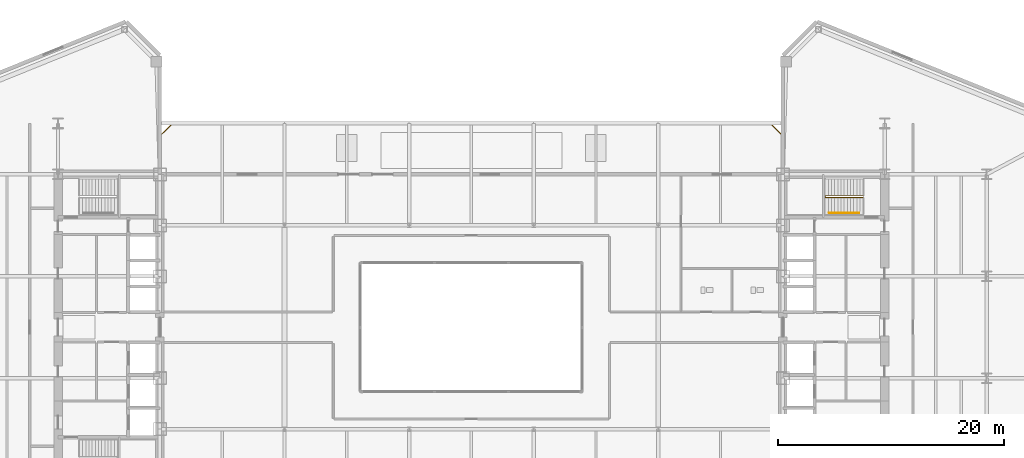
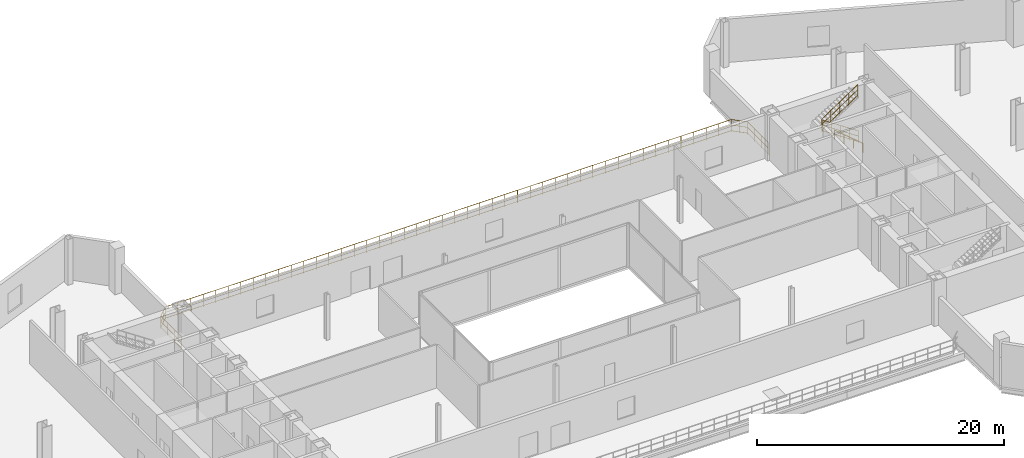
# One storey, part 22 of 23: 3 railings.
"""IFC4 building model written with IfcOpenShell, lengths in metres."""

from ifc_helpers import new_model, si_unit, direction, frame, origin, origin_2d, place, context, subcontext, project, spatial, circle, extrude, material, type_object, element, save


model = new_model("IFC4")

# Units and contexts
model_context = context("Model", 3, precision=1e-05, world=origin(), true_north=direction((0.0, 1.0)))
body_context = subcontext(model_context, "Body", "Model", "MODEL_VIEW")
ifc_project = project(units=[si_unit("LENGTHUNIT", "METRE"), si_unit("AREAUNIT", "SQUARE_METRE"), si_unit("VOLUMEUNIT", "CUBIC_METRE"), si_unit("PLANEANGLEUNIT", "RADIAN"), si_unit("MASSUNIT", "GRAM", prefix="KILO")], contexts=[model_context])

# Site, building, storey
site_placement = place(None, origin())
site = spatial("IfcSite", under=ifc_project, at=site_placement, CompositionType="ELEMENT")
building_placement = place(site_placement, origin())
building = spatial("IfcBuilding", under=site, at=building_placement, Name="Seokmaru Belvedere", CompositionType="ELEMENT")
storey_placement = place(building_placement, frame((0.0, 0.0, 14.39990234375)))
storey = spatial("IfcBuildingStorey", under=building, at=storey_placement, Name="L03", CompositionType="ELEMENT", Elevation=14.39990234375)

# Railings
ifc_material = material(Name="Stainless Steel 316", Category="steel")
railing_type_1 = type_object("IfcRailingType", Name="Podium Garden Terrace Guardrail 1250", PredefinedType="GUARDRAIL", material=ifc_material)
railing_1_placement = place(storey_placement, frame((-27.419921875, 13.659912109375, 0.0)))
element("IfcRailing", 1, at=railing_1_placement, inside=storey, type_object=railing_type_1, Name="L03 North Cascading Terrace Guardrail", PredefinedType="GUARDRAIL", context=body_context, shape_type="SweptSolid", body=[
    extrude(circle(Radius=0.02392578125, at=origin_2d()), frame((0.0, 0.0, 1.22607421875), z_axis=(0.0, 1.0, 0.0), x_axis=(-1.0, 0.0, 0.0)), (0.0, 0.0, 1.0), 3.340087890625),
    extrude(circle(Radius=0.02392578125, at=origin_2d()), frame((0.0, 0.0, 0.1201171875), z_axis=(0.0, 1.0, 0.0), x_axis=(-1.0, 0.0, 0.0)), (0.0, 0.0, 1.0), 3.340087890625),
    extrude(circle(Radius=0.02392578125, at=origin_2d()), frame((0.0, 0.0, 0.6875), z_axis=(0.0, 1.0, 0.0), x_axis=(-1.0, 0.0, 0.0)), (0.0, 0.0, 1.0), 3.340087890625),
    extrude(circle(Radius=0.02392578125, at=origin_2d()), frame((0.0, 3.340087890625, 1.22607421875), z_axis=(0.714441131143, 0.699695555318, 0.0), x_axis=(-0.699695555318, 0.714441131143, 0.0)), (0.0, 0.0, 1.0), 1.357666015625),
    extrude(circle(Radius=0.02392578125, at=origin_2d()), frame((0.0, 3.340087890625, 0.1201171875), z_axis=(0.714441131143, 0.699695555318, 0.0), x_axis=(-0.699695555318, 0.714441131143, 0.0)), (0.0, 0.0, 1.0), 1.357666015625),
    extrude(circle(Radius=0.02392578125, at=origin_2d()), frame((0.0, 3.340087890625, 0.6875), z_axis=(0.714441131143, 0.699695555318, 0.0), x_axis=(-0.699695555318, 0.714441131143, 0.0)), (0.0, 0.0, 1.0), 1.357666015625),
    extrude(circle(Radius=0.02392578125, at=origin_2d()), frame((0.969970703125, 4.2900390625, 1.22607421875), z_axis=(1.0, 0.0, 0.0), x_axis=(0.0, 1.0, 0.0)), (0.0, 0.0, 1.0), 52.89990234375),
    extrude(circle(Radius=0.02392578125, at=origin_2d()), frame((0.969970703125, 4.2900390625, 0.1201171875), z_axis=(1.0, 0.0, 0.0), x_axis=(0.0, 1.0, 0.0)), (0.0, 0.0, 1.0), 52.89990234375),
    extrude(circle(Radius=0.02392578125, at=origin_2d()), frame((0.969970703125, 4.2900390625, 0.6875), z_axis=(1.0, 0.0, 0.0), x_axis=(0.0, 1.0, 0.0)), (0.0, 0.0, 1.0), 52.89990234375),
    extrude(circle(Radius=0.02392578125, at=origin_2d()), frame((53.869873046875, 4.2900390625, 1.22607421875), z_axis=(0.714441131143, -0.699695555318, 0.0), x_axis=(0.699695555318, 0.714441131143, 0.0)), (0.0, 0.0, 1.0), 1.357666015625),
    extrude(circle(Radius=0.02392578125, at=origin_2d()), frame((53.869873046875, 4.2900390625, 0.1201171875), z_axis=(0.714441131143, -0.699695555318, 0.0), x_axis=(0.699695555318, 0.714441131143, 0.0)), (0.0, 0.0, 1.0), 1.357666015625),
    extrude(circle(Radius=0.02392578125, at=origin_2d()), frame((53.869873046875, 4.2900390625, 0.6875), z_axis=(0.714441131143, -0.699695555318, 0.0), x_axis=(0.699695555318, 0.714441131143, 0.0)), (0.0, 0.0, 1.0), 1.357666015625),
    extrude(circle(Radius=0.02392578125, at=origin_2d()), frame((54.83984375, 3.340087890625, 1.22607421875), z_axis=(0.0, -1.0, 0.0), x_axis=(1.0, 0.0, 0.0)), (0.0, 0.0, 1.0), 3.340087890625),
    extrude(circle(Radius=0.02392578125, at=origin_2d()), frame((54.83984375, 3.340087890625, 0.1201171875), z_axis=(0.0, -1.0, 0.0), x_axis=(1.0, 0.0, 0.0)), (0.0, 0.0, 1.0), 3.340087890625),
    extrude(circle(Radius=0.02392578125, at=origin_2d()), frame((54.83984375, 3.340087890625, 0.6875), z_axis=(0.0, -1.0, 0.0), x_axis=(1.0, 0.0, 0.0)), (0.0, 0.0, 1.0), 3.340087890625),
    extrude(circle(Radius=0.02099609375, at=origin_2d()), origin(), (0.0, 0.0, 1.0), 1.201904296875),
    extrude(circle(Radius=0.02099609375, at=origin_2d()), frame((0.0, 1.11328125, 0.0)), (0.0, 0.0, 1.0), 1.201904296875),
    extrude(circle(Radius=0.02099609375, at=origin_2d()), frame((0.0, 2.226806640625, 0.0)), (0.0, 0.0, 1.0), 1.201904296875),
    extrude(circle(Radius=0.02099609375, at=origin_2d()), frame((0.0, 3.340087890625, 0.0)), (0.0, 0.0, 1.0), 1.201904296875),
    extrude(circle(Radius=0.02099609375, at=origin_2d()), frame((0.48486328125, 3.81494140625, 0.0)), (0.0, 0.0, 1.0), 1.201904296875),
    extrude(circle(Radius=0.02099609375, at=origin_2d()), frame((0.969970703125, 4.2900390625, 0.0)), (0.0, 0.0, 1.0), 1.201904296875),
    extrude(circle(Radius=0.02099609375, at=origin_2d()), frame((2.1455078125, 4.2900390625, 0.0)), (0.0, 0.0, 1.0), 1.201904296875),
    extrude(circle(Radius=0.02099609375, at=origin_2d()), frame((3.321044921875, 4.2900390625, 0.0)), (0.0, 0.0, 1.0), 1.201904296875),
    extrude(circle(Radius=0.02099609375, at=origin_2d()), frame((4.49658203125, 4.2900390625, 0.0)), (0.0, 0.0, 1.0), 1.201904296875),
    extrude(circle(Radius=0.02099609375, at=origin_2d()), frame((5.672119140625, 4.2900390625, 0.0)), (0.0, 0.0, 1.0), 1.201904296875),
    extrude(circle(Radius=0.02099609375, at=origin_2d()), frame((6.84765625, 4.2900390625, 0.0)), (0.0, 0.0, 1.0), 1.201904296875),
    extrude(circle(Radius=0.02099609375, at=origin_2d()), frame((8.023193359375, 4.2900390625, 0.0)), (0.0, 0.0, 1.0), 1.201904296875),
    extrude(circle(Radius=0.02099609375, at=origin_2d()), frame((9.19873046875, 4.2900390625, 0.0)), (0.0, 0.0, 1.0), 1.201904296875),
    extrude(circle(Radius=0.02099609375, at=origin_2d()), frame((10.37451171875, 4.2900390625, 0.0)), (0.0, 0.0, 1.0), 1.201904296875),
    extrude(circle(Radius=0.02099609375, at=origin_2d()), frame((11.550048828125, 4.2900390625, 0.0)), (0.0, 0.0, 1.0), 1.201904296875),
    extrude(circle(Radius=0.02099609375, at=origin_2d()), frame((12.7255859375, 4.2900390625, 0.0)), (0.0, 0.0, 1.0), 1.201904296875),
    extrude(circle(Radius=0.02099609375, at=origin_2d()), frame((13.901123046875, 4.2900390625, 0.0)), (0.0, 0.0, 1.0), 1.201904296875),
    extrude(circle(Radius=0.02099609375, at=origin_2d()), frame((15.07666015625, 4.2900390625, 0.0)), (0.0, 0.0, 1.0), 1.201904296875),
    extrude(circle(Radius=0.02099609375, at=origin_2d()), frame((16.252197265625, 4.2900390625, 0.0)), (0.0, 0.0, 1.0), 1.201904296875),
    extrude(circle(Radius=0.02099609375, at=origin_2d()), frame((17.427734375, 4.2900390625, 0.0)), (0.0, 0.0, 1.0), 1.201904296875),
    extrude(circle(Radius=0.02099609375, at=origin_2d()), frame((18.603271484375, 4.2900390625, 0.0)), (0.0, 0.0, 1.0), 1.201904296875),
    extrude(circle(Radius=0.02099609375, at=origin_2d()), frame((19.77880859375, 4.2900390625, 0.0)), (0.0, 0.0, 1.0), 1.201904296875),
    extrude(circle(Radius=0.02099609375, at=origin_2d()), frame((20.954345703125, 4.2900390625, 0.0)), (0.0, 0.0, 1.0), 1.201904296875),
    extrude(circle(Radius=0.02099609375, at=origin_2d()), frame((22.1298828125, 4.2900390625, 0.0)), (0.0, 0.0, 1.0), 1.201904296875),
    extrude(circle(Radius=0.02099609375, at=origin_2d()), frame((23.305419921875, 4.2900390625, 0.0)), (0.0, 0.0, 1.0), 1.201904296875),
    extrude(circle(Radius=0.02099609375, at=origin_2d()), frame((24.48095703125, 4.2900390625, 0.0)), (0.0, 0.0, 1.0), 1.201904296875),
    extrude(circle(Radius=0.02099609375, at=origin_2d()), frame((25.656494140625, 4.2900390625, 0.0)), (0.0, 0.0, 1.0), 1.201904296875),
    extrude(circle(Radius=0.02099609375, at=origin_2d()), frame((26.83203125, 4.2900390625, 0.0)), (0.0, 0.0, 1.0), 1.201904296875),
    extrude(circle(Radius=0.02099609375, at=origin_2d()), frame((28.0078125, 4.2900390625, 0.0)), (0.0, 0.0, 1.0), 1.201904296875),
    extrude(circle(Radius=0.02099609375, at=origin_2d()), frame((29.183349609375, 4.2900390625, 0.0)), (0.0, 0.0, 1.0), 1.201904296875),
    extrude(circle(Radius=0.02099609375, at=origin_2d()), frame((30.35888671875, 4.2900390625, 0.0)), (0.0, 0.0, 1.0), 1.201904296875),
    extrude(circle(Radius=0.02099609375, at=origin_2d()), frame((31.534423828125, 4.2900390625, 0.0)), (0.0, 0.0, 1.0), 1.201904296875),
    extrude(circle(Radius=0.02099609375, at=origin_2d()), frame((32.7099609375, 4.2900390625, 0.0)), (0.0, 0.0, 1.0), 1.201904296875),
    extrude(circle(Radius=0.02099609375, at=origin_2d()), frame((33.885498046875, 4.2900390625, 0.0)), (0.0, 0.0, 1.0), 1.201904296875),
    extrude(circle(Radius=0.02099609375, at=origin_2d()), frame((35.06103515625, 4.2900390625, 0.0)), (0.0, 0.0, 1.0), 1.201904296875),
    extrude(circle(Radius=0.02099609375, at=origin_2d()), frame((36.236572265625, 4.2900390625, 0.0)), (0.0, 0.0, 1.0), 1.201904296875),
    extrude(circle(Radius=0.02099609375, at=origin_2d()), frame((37.412109375, 4.2900390625, 0.0)), (0.0, 0.0, 1.0), 1.201904296875),
    extrude(circle(Radius=0.02099609375, at=origin_2d()), frame((38.587646484375, 4.2900390625, 0.0)), (0.0, 0.0, 1.0), 1.201904296875),
    extrude(circle(Radius=0.02099609375, at=origin_2d()), frame((39.76318359375, 4.2900390625, 0.0)), (0.0, 0.0, 1.0), 1.201904296875),
    extrude(circle(Radius=0.02099609375, at=origin_2d()), frame((40.938720703125, 4.2900390625, 0.0)), (0.0, 0.0, 1.0), 1.201904296875),
    extrude(circle(Radius=0.02099609375, at=origin_2d()), frame((42.1142578125, 4.2900390625, 0.0)), (0.0, 0.0, 1.0), 1.201904296875),
    extrude(circle(Radius=0.02099609375, at=origin_2d()), frame((43.289794921875, 4.2900390625, 0.0)), (0.0, 0.0, 1.0), 1.201904296875),
    extrude(circle(Radius=0.02099609375, at=origin_2d()), frame((44.46533203125, 4.2900390625, 0.0)), (0.0, 0.0, 1.0), 1.201904296875),
    extrude(circle(Radius=0.02099609375, at=origin_2d()), frame((45.64111328125, 4.2900390625, 0.0)), (0.0, 0.0, 1.0), 1.201904296875),
    extrude(circle(Radius=0.02099609375, at=origin_2d()), frame((46.816650390625, 4.2900390625, 0.0)), (0.0, 0.0, 1.0), 1.201904296875),
    extrude(circle(Radius=0.02099609375, at=origin_2d()), frame((47.9921875, 4.2900390625, 0.0)), (0.0, 0.0, 1.0), 1.201904296875),
    extrude(circle(Radius=0.02099609375, at=origin_2d()), frame((49.167724609375, 4.2900390625, 0.0)), (0.0, 0.0, 1.0), 1.201904296875),
    extrude(circle(Radius=0.02099609375, at=origin_2d()), frame((50.34326171875, 4.2900390625, 0.0)), (0.0, 0.0, 1.0), 1.201904296875),
    extrude(circle(Radius=0.02099609375, at=origin_2d()), frame((51.518798828125, 4.2900390625, 0.0)), (0.0, 0.0, 1.0), 1.201904296875),
    extrude(circle(Radius=0.02099609375, at=origin_2d()), frame((52.6943359375, 4.2900390625, 0.0)), (0.0, 0.0, 1.0), 1.201904296875),
    extrude(circle(Radius=0.02099609375, at=origin_2d()), frame((53.869873046875, 4.2900390625, 0.0)), (0.0, 0.0, 1.0), 1.201904296875),
    extrude(circle(Radius=0.02099609375, at=origin_2d()), frame((54.35498046875, 3.81494140625, 0.0)), (0.0, 0.0, 1.0), 1.201904296875),
    extrude(circle(Radius=0.02099609375, at=origin_2d()), frame((54.83984375, 3.340087890625, 0.0)), (0.0, 0.0, 1.0), 1.201904296875),
    extrude(circle(Radius=0.02099609375, at=origin_2d()), frame((54.83984375, 2.226806640625, 0.0)), (0.0, 0.0, 1.0), 1.201904296875),
    extrude(circle(Radius=0.02099609375, at=origin_2d()), frame((54.83984375, 1.11328125, 0.0)), (0.0, 0.0, 1.0), 1.201904296875),
    extrude(circle(Radius=0.02099609375, at=origin_2d()), frame((54.83984375, 0.0, 0.0)), (0.0, 0.0, 1.0), 1.201904296875),
])
railing_type_2 = type_object("IfcRailingType", Name="Stainless Steel Wall and Flight Handrail 900", PredefinedType="HANDRAIL", material=ifc_material)
railing_2_placement = place(storey_placement, frame((34.25, 10.110107421875, 0.0)))
element("IfcRailing", 2, at=railing_2_placement, inside=storey, type_object=railing_type_2, Name="L03 Stair ST-E2 Wall Handrail", PredefinedType="HANDRAIL", context=body_context, shape_type="SweptSolid", body=[
    extrude(circle(Radius=0.02392578125, at=origin_2d()), frame((0.0, 0.0, 0.8759765625), z_axis=(-0.763484625413, 0.0, 0.64582600347), x_axis=(0.0, -1.0, 0.0)), (0.0, 0.0, 1.0), 3.48388671875),
    extrude(circle(Radius=0.02099609375, at=origin_2d()), origin(), (0.0, 0.0, 1.0), 0.851806640625),
    extrude(circle(Radius=0.02099609375, at=origin_2d()), frame((-0.88671875, 0.0, 0.75)), (0.0, 0.0, 1.0), 0.851806640625),
    extrude(circle(Radius=0.02099609375, at=origin_2d()), frame((-1.773193359375, 0.0, 1.5)), (0.0, 0.0, 1.0), 0.851806640625),
    extrude(circle(Radius=0.02099609375, at=origin_2d()), frame((-2.659912109375, 0.0, 2.25)), (0.0, 0.0, 1.0), 0.851806640625),
])
railing_type_3 = type_object("IfcRailingType", Name="Stair Well and Atrium Steel Guardrail 1200", PredefinedType="GUARDRAIL", material=ifc_material)
railing_3_placement = place(storey_placement, frame((34.60009765625, 11.4599609375, 0.0)))
element("IfcRailing", 3, at=railing_3_placement, inside=storey, type_object=railing_type_3, Name="L03 Stair ST-E2 Inner Well Guardrail", PredefinedType="GUARDRAIL", context=body_context, shape_type="SweptSolid", body=[
    extrude(circle(Radius=0.02392578125, at=origin_2d()), frame((0.0, 0.0, 1.17578125), z_axis=(-0.830915400975, 0.0, 0.556398774641), x_axis=(0.0, -1.0, 0.0)), (0.0, 0.0, 1.0), 4.0439453125),
    extrude(circle(Radius=0.02392578125, at=origin_2d()), frame((0.0, 0.0, 0.1201171875), z_axis=(-0.830915400975, 0.0, 0.556398774641), x_axis=(0.0, -1.0, 0.0)), (0.0, 0.0, 1.0), 4.0439453125),
    extrude(circle(Radius=0.02392578125, at=origin_2d()), frame((0.0, 0.0, 0.659912109375), z_axis=(-0.830915400975, 0.0, 0.556398774641), x_axis=(0.0, -1.0, 0.0)), (0.0, 0.0, 1.0), 4.0439453125),
    extrude(circle(Radius=0.02392578125, at=origin_2d()), frame((-3.360107421875, 0.0, 3.42578125), z_axis=(0.0, 1.0, 0.0), x_axis=(-1.0, 0.0, 0.0)), (0.0, 0.0, 1.0), 0.14013671875),
    extrude(circle(Radius=0.02392578125, at=origin_2d()), frame((-3.360107421875, 0.0, 2.3701171875), z_axis=(0.0, 1.0, 0.0), x_axis=(-1.0, 0.0, 0.0)), (0.0, 0.0, 1.0), 0.14013671875),
    extrude(circle(Radius=0.02392578125, at=origin_2d()), frame((-3.360107421875, 0.0, 2.909912109375), z_axis=(0.0, 1.0, 0.0), x_axis=(-1.0, 0.0, 0.0)), (0.0, 0.0, 1.0), 0.14013671875),
    extrude(circle(Radius=0.02392578125, at=origin_2d()), frame((-3.360107421875, 0.14013671875, 3.42578125), z_axis=(0.830915400975, 0.0, 0.556398774641), x_axis=(0.0, 1.0, 0.0)), (0.0, 0.0, 1.0), 4.0439453125),
    extrude(circle(Radius=0.02392578125, at=origin_2d()), frame((-3.360107421875, 0.14013671875, 2.3701171875), z_axis=(0.830915400975, 0.0, 0.556398774641), x_axis=(0.0, 1.0, 0.0)), (0.0, 0.0, 1.0), 4.0439453125),
    extrude(circle(Radius=0.02392578125, at=origin_2d()), frame((-3.360107421875, 0.14013671875, 2.909912109375), z_axis=(0.830915400975, 0.0, 0.556398774641), x_axis=(0.0, 1.0, 0.0)), (0.0, 0.0, 1.0), 4.0439453125),
    extrude(circle(Radius=0.02099609375, at=origin_2d()), origin(), (0.0, 0.0, 1.0), 1.15185546875),
    extrude(circle(Radius=0.02099609375, at=origin_2d()), frame((-0.840087890625, 0.0, 0.5625)), (0.0, 0.0, 1.0), 1.15185546875),
    extrude(circle(Radius=0.02099609375, at=origin_2d()), frame((-1.68017578125, 0.0, 1.125)), (0.0, 0.0, 1.0), 1.15185546875),
    extrude(circle(Radius=0.02099609375, at=origin_2d()), frame((-2.52001953125, 0.0, 1.6875)), (0.0, 0.0, 1.0), 1.15185546875),
    extrude(circle(Radius=0.02099609375, at=origin_2d()), frame((-3.360107421875, 0.0, 2.25)), (0.0, 0.0, 1.0), 1.15185546875),
    extrude(circle(Radius=0.02099609375, at=origin_2d()), frame((-3.360107421875, 0.14013671875, 2.25)), (0.0, 0.0, 1.0), 1.15185546875),
    extrude(circle(Radius=0.02099609375, at=origin_2d()), frame((-2.52001953125, 0.14013671875, 2.8125)), (0.0, 0.0, 1.0), 1.15185546875),
    extrude(circle(Radius=0.02099609375, at=origin_2d()), frame((-1.68017578125, 0.14013671875, 3.375)), (0.0, 0.0, 1.0), 1.15185546875),
    extrude(circle(Radius=0.02099609375, at=origin_2d()), frame((-0.840087890625, 0.14013671875, 3.9375)), (0.0, 0.0, 1.0), 1.15185546875),
    extrude(circle(Radius=0.02099609375, at=origin_2d()), frame((0.0, 0.14013671875, 4.5)), (0.0, 0.0, 1.0), 1.15185546875),
])

save(model, "model.ifc")
